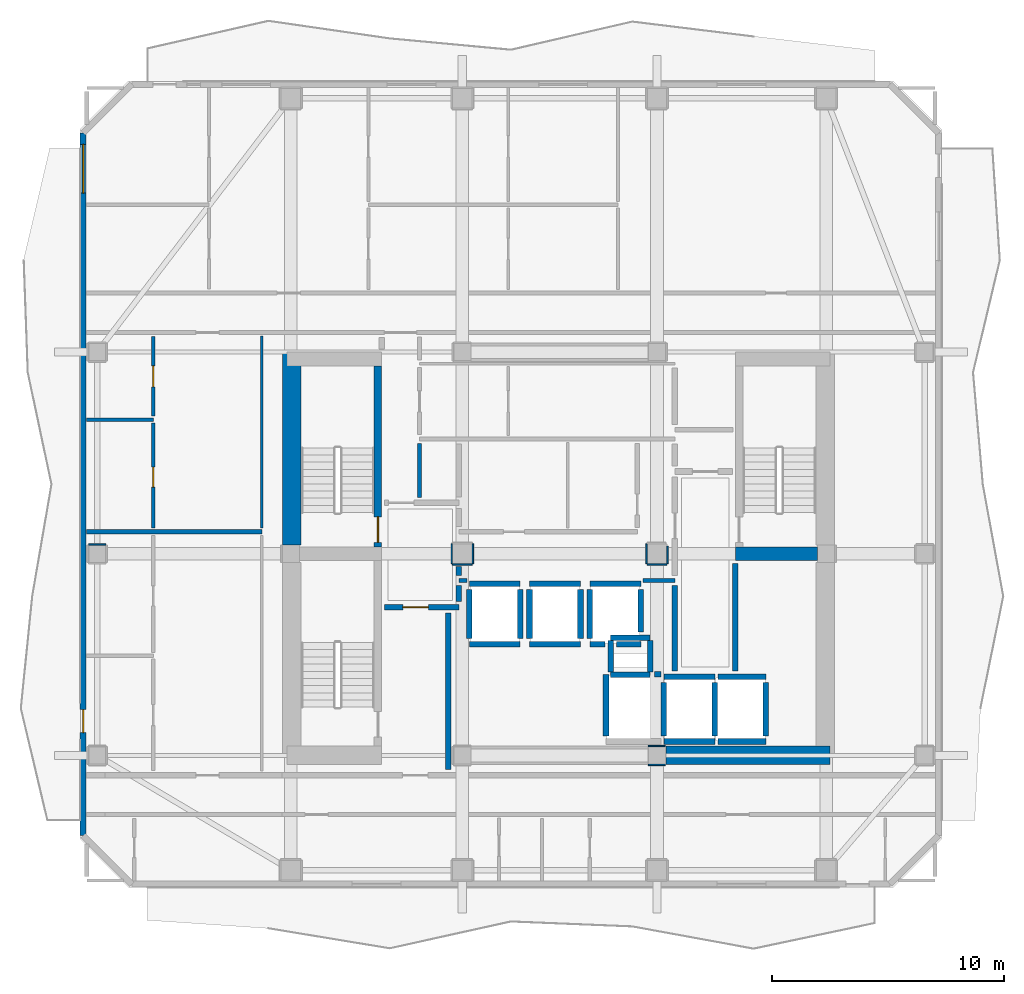
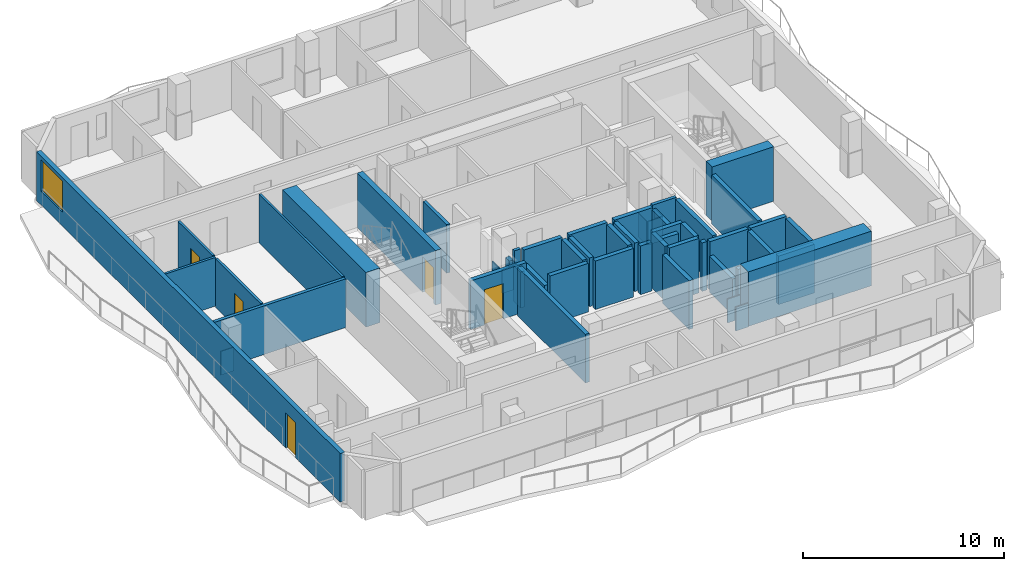
# One storey, part 3 of 10: 54 walls, 5 doors, 1 window, 6 openings.
"""IFC4 building model written with IfcOpenShell, lengths in metres."""

from ifc_helpers import new_model, si_unit, direction, frame, frame_2d, origin, place, context, subcontext, project, spatial, rectangle, extrude, material, layer, layer_set, type_object, element, fill, save


model = new_model("IFC4")

# Units and contexts
model_context = context("Model", 3, precision=1e-05, world=origin(), true_north=direction((0.0, 1.0)))
body_context = subcontext(model_context, "Body", "Model", "MODEL_VIEW")
ifc_project = project(units=[si_unit("LENGTHUNIT", "METRE"), si_unit("AREAUNIT", "SQUARE_METRE"), si_unit("VOLUMEUNIT", "CUBIC_METRE"), si_unit("PLANEANGLEUNIT", "RADIAN"), si_unit("MASSUNIT", "GRAM", prefix="KILO")], contexts=[model_context])

# Site, building, storey
site_placement = place(None, origin())
site = spatial("IfcSite", under=ifc_project, at=site_placement, CompositionType="ELEMENT")
building_placement = place(site_placement, origin())
building = spatial("IfcBuilding", under=site, at=building_placement, Name="Solanera Arch Residences", CompositionType="ELEMENT")
storey_placement = place(building_placement, frame((0.0, 0.0, 254.52001953125)))
storey = spatial("IfcBuildingStorey", under=building, at=storey_placement, Name="L74", CompositionType="ELEMENT", Elevation=254.52001953125)

# Walls
ifc_material_1 = material(Name="Fire-Rated Gypsum Stud Partition", Category="gypsum")
ifc_layer_1 = layer(ifc_material_1, 0.06005859375)
ifc_layer_set_1 = layer_set([ifc_layer_1], Name="Fire-Rated Gypsum Stud Partition")
wall_type_1 = type_object("IfcWallType", Name="Column Acoustic Furring Wall 60", PredefinedType="PARTITIONING", material=ifc_layer_set_1)
for number, where, z_axis, x_axis, name in (
    (1, (28.8330078125, 21.593017578125, 0.0), (0.0, 0.0, 1.0), (1.0, 0.0, 0.0), "L74 Column Furring 2S"),
    (2, (28.8330078125, 22.406982421875, 0.0), (0.0, 0.0, 1.0), (1.0, 0.0, 0.0), "L74 Column Furring 2N"),
):
    element("IfcWall", number, at=place(storey_placement, frame(where, z_axis=z_axis, x_axis=x_axis)), inside=storey, type_object=wall_type_1, Name=name, PredefinedType="PARTITIONING", context=body_context, shape_type="SweptSolid", body=[
        extrude(rectangle(XDim=0.73388671875, YDim=0.06005859375, at=frame_2d((0.366943359375, 0.0))), origin(), (0.0, 0.0, 1.0), 1.449951171875),
    ])
for number, where, z_axis, x_axis, name in (
    (3, (20.375, 30.242919921875, 0.0), (0.0, 0.0, 1.0), (1.0, 0.0, 0.0), "L74 Column Furring 7S"),
    (4, (20.343017578125, 30.27490234375, 0.0), (0.0, 0.0, 1.0), (0.0, 1.0, 0.0), "L74 Column Furring 7W"),
    (5, (21.257080078125, 30.27490234375, 0.0), (0.0, 0.0, 1.0), (0.0, 1.0, 0.0), "L74 Column Furring 7E"),
    (6, (28.77490234375, 30.242919921875, 0.0), (0.0, 0.0, 1.0), (1.0, 0.0, 0.0), "L74 Column Furring 8S"),
    (7, (28.742919921875, 30.27490234375, 0.0), (0.0, 0.0, 1.0), (0.0, 1.0, 0.0), "L74 Column Furring 8W"),
):
    element("IfcWall", number, at=place(storey_placement, frame(where, z_axis=z_axis, x_axis=x_axis)), inside=storey, type_object=wall_type_1, Name=name, PredefinedType="PARTITIONING", context=body_context, shape_type="SweptSolid", body=[
        extrude(rectangle(XDim=0.85009765625, YDim=0.06005859375, at=frame_2d((0.425048828125, 0.0))), origin(), (0.0, 0.0, 1.0), 1.449951171875),
    ])
wall_1_placement = place(storey_placement, frame((29.656982421875, 30.27490234375, 0.0), z_axis=(0.0, 0.0, 1.0), x_axis=(0.0, 1.0, 0.0)))
element("IfcWall", 8, at=wall_1_placement, inside=storey, type_object=wall_type_1, Name="L74 Column Furring 8E", PredefinedType="PARTITIONING", context=body_context, shape_type="SweptSolid", body=[
    extrude(rectangle(XDim=0.757080078125, YDim=0.06005859375, at=frame_2d((0.37841796875, 0.0))), origin(), (0.0, 0.0, 1.0), 1.449951171875),
])
wall_2_placement = place(storey_placement, frame((4.675048828125, 31.10693359375, 0.0), z_axis=(0.0, 0.0, 1.0), x_axis=(1.0, 0.0, 0.0)))
element("IfcWall", 9, at=wall_2_placement, inside=storey, type_object=wall_type_1, Name="L74 Column Furring 19N", PredefinedType="PARTITIONING", context=body_context, shape_type="SweptSolid", body=[
    extrude(rectangle(XDim=0.75, YDim=0.06005859375, at=frame_2d((0.375, 0.0))), origin(), (0.0, 0.0, 1.0), 1.449951171875),
])

# Wall, opening, door
ifc_material_2 = material(Name="Concrete C40/50 (f'c = 45 MPa)", Category="concrete")
ifc_layer_2 = layer(ifc_material_2, 0.320068359375)
ifc_layer_set_2 = layer_set([ifc_layer_2], Name="Concrete C40/50 (f'c = 45 MPa)")
wall_type_2 = type_object("IfcWallType", Name="Core Shear Wall CW-320", PredefinedType="SHEAR", material=ifc_layer_set_2)
wall_3_placement = place(storey_placement, frame((17.159912109375, 31.0, 0.0), z_axis=(0.0, 0.0, 1.0), x_axis=(0.0, 1.0, 0.0)))
wall_3 = element("IfcWall", 10, at=wall_3_placement, inside=storey, type_object=wall_type_2, Name="L74 Stair ST-T1 East Shear Wall", PredefinedType="SHEAR", context=body_context, shape_type="SweptSolid", body=[
    extrude(rectangle(XDim=7.800048828125, YDim=0.320068359375, at=frame_2d((3.89990234375, 0.0))), origin(), (0.0, 0.0, 1.0), 3.320068359375),
])
opening_1_placement = place(wall_3_placement, frame((0.18994140625, 0.0, 0.0)))
opening_1 = element("IfcOpeningElement", 11, at=opening_1_placement, cuts=wall_3, Name="Opening DF-01", PredefinedType="OPENING", context=body_context, shape_type="SweptSolid", body=[
    extrude(rectangle(XDim=1.10009765625, YDim=2.14990234375, at=frame_2d((0.550048828125, 1.074951171875))), frame((0.0, 0.169921875, 0.0), z_axis=(0.0, -1.0, 0.0), x_axis=(1.0, 0.0, 0.0)), (0.0, 0.0, 1.0), 0.3401),
])
ifc_material_3 = material(Name="Fire-Rated Architectural Hardwood", Category="wood")
door_type_1 = type_object("IfcDoorType", Name="Stair Exit Fire Door DF-01", OperationType="NOTDEFINED", PredefinedType="DOOR", material=ifc_material_3)
door_1_placement = place(opening_1_placement, origin())
door_1 = element("IfcDoor", 12, at=door_1_placement, inside=storey, type_object=door_type_1, Name="DR-L74-STAIR-ST-T1", OperationType="SINGLE_SWING_RIGHT", OverallHeight=2.14990234375, OverallWidth=1.10009765625, PredefinedType="DOOR", context=body_context, shape_type="SweptSolid", body=[
    extrude(rectangle(XDim=1.10009765625, YDim=2.14990234375, at=frame_2d((0.550048828125, 1.074951171875))), frame((0.0, 0.02490234375, 0.0), z_axis=(0.0, -1.0, 0.0), x_axis=(1.0, 0.0, 0.0)), (0.0, 0.0, 1.0), 0.050048828125),
])
fill(opening_1, door_1)

# Walls
ifc_material_4 = material(Name="Concrete C40/50 (f'c = 45 MPa)", Category="concrete")
ifc_layer_3 = layer(ifc_material_4, 0.60009765625)
ifc_layer_set_3 = layer_set([ifc_layer_3], Name="Concrete C40/50 (f'c = 45 MPa)")
wall_type_3 = type_object("IfcWallType", Name="Core Shear Wall CW-600", PredefinedType="SHEAR", material=ifc_layer_set_3)
wall_4_placement = place(storey_placement, frame((32.580078125, 30.699951171875, 0.0), z_axis=(0.0, 0.0, 1.0), x_axis=(1.0, 0.0, 0.0)))
element("IfcWall", 13, at=wall_4_placement, inside=storey, type_object=wall_type_3, Name="L74 East Stair Far-Landing Shear Wall", PredefinedType="SHEAR", context=body_context, shape_type="SweptSolid", body=[
    extrude(rectangle(XDim=3.5400390625, YDim=0.60009765625, at=frame_2d((1.77001953125, 0.0))), origin(), (0.0, 0.0, 1.0), 3.320068359375),
])
ifc_material_5 = material(Name="Concrete C40/50 (f'c = 45 MPa)", Category="concrete")
ifc_layer_4 = layer(ifc_material_5, 0.800048828125)
ifc_layer_set_4 = layer_set([ifc_layer_4], Name="Concrete C40/50 (f'c = 45 MPa)")
wall_type_4 = type_object("IfcWallType", Name="Core Shear Wall CW-800", PredefinedType="SHEAR", material=ifc_layer_set_4)
wall_5_placement = place(storey_placement, frame((13.43994140625, 31.080078125, 0.0), z_axis=(0.0, 0.0, 1.0), x_axis=(0.0, 1.0, 0.0)))
element("IfcWall", 14, at=wall_5_placement, inside=storey, type_object=wall_type_4, Name="L74 West Core North Shear Wall", PredefinedType="SHEAR", context=body_context, shape_type="SweptSolid", body=[
    extrude(rectangle(XDim=8.31982421875, YDim=0.800048828125, at=frame_2d((4.159912109375, 0.0))), origin(), (0.0, 0.0, 1.0), 3.320068359375),
])
wall_6_placement = place(storey_placement, frame((29.580078125, 22.0, 0.0), z_axis=(0.0, 0.0, 1.0), x_axis=(1.0, 0.0, 0.0)))
element("IfcWall", 15, at=wall_6_placement, inside=storey, type_object=wall_type_4, Name="L74 South-East Core Shear Wall", PredefinedType="SHEAR", context=body_context, shape_type="SweptSolid", body=[
    extrude(rectangle(XDim=7.079833984375, YDim=0.800048828125, at=frame_2d((3.5400390625, 0.0))), origin(), (0.0, 0.0, 1.0), 3.320068359375),
])
ifc_material_6 = material(Name="Autoclaved Aerated Concrete Blockwork", Category="masonry")
ifc_layer_5 = layer(ifc_material_6, 0.179931640625)
ifc_layer_set_5 = layer_set([ifc_layer_5], Name="Autoclaved Aerated Concrete Blockwork")
wall_type_5 = type_object("IfcWallType", Name="Corridor Fire Partition 180", PredefinedType="PARTITIONING", material=ifc_layer_set_5)
wall_7_placement = place(storey_placement, frame((20.64990234375, 29.550048828125, 0.0), z_axis=(0.0, 0.0, 1.0), x_axis=(1.0, 0.0, 0.0)))
element("IfcWall", 16, at=wall_7_placement, inside=storey, type_object=wall_type_5, Name="L74 Interior Partition H7 1", PredefinedType="PARTITIONING", context=body_context, shape_type="SweptSolid", body=[
    extrude(rectangle(XDim=0.357177734375, YDim=0.179931640625, at=frame_2d((0.1787109375, 0.0))), origin(), (0.0, 0.0, 1.0), 2.9599609375),
])
wall_8_placement = place(storey_placement, frame((28.593017578125, 29.550048828125, 0.0), z_axis=(0.0, 0.0, 1.0), x_axis=(1.0, 0.0, 0.0)))
element("IfcWall", 17, at=wall_8_placement, inside=storey, type_object=wall_type_5, Name="L74 Interior Partition H7 2", PredefinedType="PARTITIONING", context=body_context, shape_type="SweptSolid", body=[
    extrude(rectangle(XDim=1.382080078125, YDim=0.179931640625, at=frame_2d((0.69091796875, 0.0))), origin(), (0.0, 0.0, 1.0), 2.9599609375),
])
wall_9_placement = place(storey_placement, frame((4.5869140625, 31.64990234375, 0.0), z_axis=(0.0, 0.0, 1.0), x_axis=(1.0, 0.0, 0.0)))
element("IfcWall", 18, at=wall_9_placement, inside=storey, type_object=wall_type_5, Name="L74 Interior Partition H8", PredefinedType="PARTITIONING", context=body_context, shape_type="SweptSolid", body=[
    extrude(rectangle(XDim=7.56298828125, YDim=0.179931640625, at=frame_2d((3.781494140625, 0.0))), origin(), (0.0, 0.0, 1.0), 2.9599609375),
])
wall_10_placement = place(storey_placement, frame((18.949951171875, 33.117919921875, 0.0), z_axis=(0.0, 0.0, 1.0), x_axis=(0.0, 1.0, 0.0)))
element("IfcWall", 19, at=wall_10_placement, inside=storey, type_object=wall_type_5, Name="L74 Interior Partition V7 1", PredefinedType="PARTITIONING", context=body_context, shape_type="SweptSolid", body=[
    extrude(rectangle(XDim=2.343994140625, YDim=0.179931640625, at=frame_2d((1.171875, 0.0))), origin(), (0.0, 0.0, 1.0), 2.9599609375),
])

# Wall, openings, door, window
ifc_material_7 = material(Name="Precast Concrete C35/45", Category="concrete")
ifc_layer_6 = layer(ifc_material_7, 0.260009765625)
ifc_layer_set_6 = layer_set([ifc_layer_6], Name="Precast Concrete C35/45")
wall_type_6 = type_object("IfcWallType", Name="Exterior Wall Precast Masonry-Frame 260", PredefinedType="STANDARD", material=ifc_layer_set_6)
wall_11_placement = place(storey_placement, frame((4.445068359375, 18.544921875, 0.0), z_axis=(0.0, 0.0, 1.0), x_axis=(0.0, 1.0, 0.0)))
wall_11 = element("IfcWall", 20, at=wall_11_placement, inside=storey, type_object=wall_type_6, Name="L74 Tower Exterior Precast Masonry-Frame Wall W", PredefinedType="STANDARD", context=body_context, shape_type="SweptSolid", body=[
    extrude(rectangle(XDim=30.31005859375, YDim=0.260009765625, at=frame_2d((15.155029296875, 0.0))), origin(), (0.0, 0.0, 1.0), 2.9599609375),
])
opening_2_placement = place(wall_11_placement, frame((4.43408203125, 0.0, 0.0)))
opening_2 = element("IfcOpeningElement", 21, at=opening_2_placement, cuts=wall_11, Name="Opening DB-01", PredefinedType="OPENING", context=body_context, shape_type="SweptSolid", body=[
    extrude(rectangle(XDim=1.0, YDim=2.14990234375, at=frame_2d((0.5, 1.074951171875))), frame((0.0, 0.139892578125, 0.0), z_axis=(0.0, -1.0, 0.0), x_axis=(1.0, 0.0, 0.0)), (0.0, 0.0, 1.0), 0.28),
])
opening_3_placement = place(wall_11_placement, frame((27.715087890625, 0.0, 0.85009765625)))
opening_3 = element("IfcOpeningElement", 22, at=opening_3_placement, cuts=wall_11, Name="Opening W-04", PredefinedType="OPENING", context=body_context, shape_type="SweptSolid", body=[
    extrude(rectangle(XDim=2.10009765625, YDim=1.89990234375, at=frame_2d((1.050048828125, 0.949951171875))), frame((0.0, 0.139892578125, 0.0), z_axis=(0.0, -1.0, 0.0), x_axis=(1.0, 0.0, 0.0)), (0.0, 0.0, 1.0), 0.28),
])
ifc_material_8 = material(Name="Anodised Aluminium Alloy 6063-T6", Category="aluminium")
door_type_2 = type_object("IfcDoorType", Name="Glazed Balcony Swing Door DB-01", OperationType="NOTDEFINED", PredefinedType="DOOR", material=ifc_material_8)
door_2_placement = place(opening_2_placement, origin())
door_2 = element("IfcDoor", 23, at=door_2_placement, inside=storey, type_object=door_type_2, Name="DR-L74-OUT-04", OperationType="SINGLE_SWING_LEFT", OverallHeight=2.14990234375, OverallWidth=1.0, PredefinedType="DOOR", context=body_context, shape_type="SweptSolid", body=[
    extrude(rectangle(XDim=1.0, YDim=2.14990234375, at=frame_2d((0.5, 1.074951171875))), frame((0.0, 0.02490234375, 0.0), z_axis=(0.0, -1.0, 0.0), x_axis=(1.0, 0.0, 0.0)), (0.0, 0.0, 1.0), 0.050048828125),
])
fill(opening_2, door_2)
ifc_material_9 = material(Name="Double Glazed Low-E Laminated Glass", Category="glass")
window_type = type_object("IfcWindowType", Name="Punched Window W-04", PartitioningType="DOUBLE_PANEL_VERTICAL", PredefinedType="WINDOW", material=ifc_material_9)
window_placement = place(opening_3_placement, origin())
window = element("IfcWindow", 24, at=window_placement, inside=storey, type_object=window_type, Name="L74 7403-BR1 Punched Window", OverallHeight=1.89990234375, OverallWidth=2.10009765625, PartitioningType="SINGLE_PANEL", PredefinedType="WINDOW", context=body_context, shape_type="SweptSolid", body=[
    extrude(rectangle(XDim=2.10009765625, YDim=1.89990234375, at=frame_2d((1.050048828125, 0.949951171875))), frame((0.0, 0.030029296875, 0.0), z_axis=(0.0, -1.0, 0.0), x_axis=(1.0, 0.0, 0.0)), (0.0, 0.0, 1.0), 0.06005859375),
])
fill(opening_3, window)

# Walls
ifc_material_10 = material(Name="Concrete C40/50 (f'c = 45 MPa)", Category="concrete")
ifc_layer_7 = layer(ifc_material_10, 0.239990234375)
ifc_layer_set_7 = layer_set([ifc_layer_7], Name="Concrete C40/50 (f'c = 45 MPa)")
wall_type_7 = type_object("IfcWallType", Name="Ramp Bearing Shear Wall RW-240", PredefinedType="SHEAR", material=ifc_layer_set_7)
for number, where, z_axis, x_axis, name in (
    (25, (27.199951171875, 25.47998046875, 0.0), (0.0, 0.0, 1.0), (1.0, 0.0, 0.0), "L74 Core MEP Riser South Shaft Wall"),
    (26, (27.199951171875, 27.080078125, 0.0), (0.0, 0.0, 1.0), (1.0, 0.0, 0.0), "L74 Core MEP Riser North Shaft Wall"),
):
    element("IfcWall", number, at=place(storey_placement, frame(where, z_axis=z_axis, x_axis=x_axis)), inside=storey, type_object=wall_type_7, Name=name, PredefinedType="SHEAR", context=body_context, shape_type="SweptSolid", body=[
        extrude(rectangle(XDim=1.699951171875, YDim=0.239990234375, at=frame_2d((0.85009765625, 0.0))), origin(), (0.0, 0.0, 1.0), 3.320068359375),
    ])
for number, where, z_axis, x_axis, name in (
    (27, (27.199951171875, 25.60009765625, 0.0), (0.0, 0.0, 1.0), (0.0, 1.0, 0.0), "L74 Core MEP Riser West Shaft Wall"),
    (28, (28.89990234375, 25.60009765625, 0.0), (0.0, 0.0, 1.0), (0.0, 1.0, 0.0), "L74 Core MEP Riser East Shaft Wall"),
):
    element("IfcWall", number, at=place(storey_placement, frame(where, z_axis=z_axis, x_axis=x_axis)), inside=storey, type_object=wall_type_7, Name=name, PredefinedType="SHEAR", context=body_context, shape_type="SweptSolid", body=[
        extrude(rectangle(XDim=1.35986328125, YDim=0.239990234375, at=frame_2d((0.679931640625, 0.0))), origin(), (0.0, 0.0, 1.0), 3.320068359375),
    ])
ifc_material_11 = material(Name="Autoclaved Aerated Concrete Blockwork", Category="masonry")
ifc_layer_8 = layer(ifc_material_11, 0.239990234375)
ifc_layer_set_8 = layer_set([ifc_layer_8], Name="Autoclaved Aerated Concrete Blockwork")
wall_type_8 = type_object("IfcWallType", Name="Shaft Wall Fire-Rated 240", PredefinedType="PARTITIONING", material=ifc_layer_set_8)
for number, where, z_axis, x_axis, name in (
    (29, (21.10009765625, 26.800048828125, 0.0), (0.0, 0.0, 1.0), (1.0, 0.0, 0.0), "L74 Lift PL-H1 Hoistway Wall S"),
    (30, (21.10009765625, 29.39990234375, 0.0), (0.0, 0.0, 1.0), (1.0, 0.0, 0.0), "L74 Lift PL-H1 Hoistway Wall N"),
):
    element("IfcWall", number, at=place(storey_placement, frame(where, z_axis=z_axis, x_axis=x_axis)), inside=storey, type_object=wall_type_8, Name=name, PredefinedType="PARTITIONING", context=body_context, shape_type="SweptSolid", body=[
        extrude(rectangle(XDim=2.199951171875, YDim=0.239990234375, at=frame_2d((1.10009765625, 0.0))), origin(), (0.0, 0.0, 1.0), 2.9599609375),
    ])
wall_12_placement = place(storey_placement, frame((21.10009765625, 27.048095703125, 0.0), z_axis=(0.0, 0.0, 1.0), x_axis=(0.0, 1.0, 0.0)))
element("IfcWall", 31, at=wall_12_placement, inside=storey, type_object=wall_type_8, Name="L74 Lift PL-H1 Hoistway Wall W", PredefinedType="PARTITIONING", context=body_context, shape_type="SweptSolid", body=[
    extrude(rectangle(XDim=2.10400390625, YDim=0.239990234375, at=frame_2d((1.052001953125, 0.0))), origin(), (0.0, 0.0, 1.0), 2.195068359375),
])
wall_13_placement = place(storey_placement, frame((23.300048828125, 27.048095703125, 0.0), z_axis=(0.0, 0.0, 1.0), x_axis=(0.0, 1.0, 0.0)))
element("IfcWall", 32, at=wall_13_placement, inside=storey, type_object=wall_type_8, Name="L74 Lift PL-H1 Hoistway Wall E", PredefinedType="PARTITIONING", context=body_context, shape_type="SweptSolid", body=[
    extrude(rectangle(XDim=2.10400390625, YDim=0.239990234375, at=frame_2d((1.052001953125, 0.0))), origin(), (0.0, 0.0, 1.0), 2.9599609375),
])
for number, where, z_axis, x_axis, name in (
    (33, (23.699951171875, 26.800048828125, 0.0), (0.0, 0.0, 1.0), (1.0, 0.0, 0.0), "L74 Lift PL-H2 Hoistway Wall S"),
    (34, (23.699951171875, 29.39990234375, 0.0), (0.0, 0.0, 1.0), (1.0, 0.0, 0.0), "L74 Lift PL-H2 Hoistway Wall N"),
):
    element("IfcWall", number, at=place(storey_placement, frame(where, z_axis=z_axis, x_axis=x_axis)), inside=storey, type_object=wall_type_8, Name=name, PredefinedType="PARTITIONING", context=body_context, shape_type="SweptSolid", body=[
        extrude(rectangle(XDim=2.199951171875, YDim=0.239990234375, at=frame_2d((1.10009765625, 0.0))), origin(), (0.0, 0.0, 1.0), 2.9599609375),
    ])
for number, where, z_axis, x_axis, name in (
    (35, (23.699951171875, 27.048095703125, 0.0), (0.0, 0.0, 1.0), (0.0, 1.0, 0.0), "L74 Lift PL-H2 Hoistway Wall W"),
    (36, (25.89990234375, 27.048095703125, 0.0), (0.0, 0.0, 1.0), (0.0, 1.0, 0.0), "L74 Lift PL-H2 Hoistway Wall E"),
):
    element("IfcWall", number, at=place(storey_placement, frame(where, z_axis=z_axis, x_axis=x_axis)), inside=storey, type_object=wall_type_8, Name=name, PredefinedType="PARTITIONING", context=body_context, shape_type="SweptSolid", body=[
        extrude(rectangle(XDim=2.10400390625, YDim=0.239990234375, at=frame_2d((1.052001953125, 0.0))), origin(), (0.0, 0.0, 1.0), 2.9599609375),
    ])
wall_14_placement = place(storey_placement, frame((26.300048828125, 26.800048828125, 0.0), z_axis=(0.0, 0.0, 1.0), x_axis=(1.0, 0.0, 0.0)))
element("IfcWall", 37, at=wall_14_placement, inside=storey, type_object=wall_type_8, Name="L74 Lift PL-H3 Hoistway Wall S 1", PredefinedType="PARTITIONING", context=body_context, shape_type="SweptSolid", body=[
    extrude(rectangle(XDim=0.64990234375, YDim=0.239990234375, at=frame_2d((0.324951171875, 0.0))), origin(), (0.0, 0.0, 1.0), 2.9599609375),
])
wall_15_placement = place(storey_placement, frame((27.449951171875, 26.800048828125, 0.0), z_axis=(0.0, 0.0, 1.0), x_axis=(1.0, 0.0, 0.0)))
element("IfcWall", 38, at=wall_15_placement, inside=storey, type_object=wall_type_8, Name="L74 Lift PL-H3 Hoistway Wall S 2", PredefinedType="PARTITIONING", context=body_context, shape_type="SweptSolid", body=[
    extrude(rectangle(XDim=1.050048828125, YDim=0.239990234375, at=frame_2d((0.52490234375, 0.0))), origin(), (0.0, 0.0, 1.0), 2.9599609375),
])
wall_16_placement = place(storey_placement, frame((26.300048828125, 29.39990234375, 0.0), z_axis=(0.0, 0.0, 1.0), x_axis=(1.0, 0.0, 0.0)))
element("IfcWall", 39, at=wall_16_placement, inside=storey, type_object=wall_type_8, Name="L74 Lift PL-H3 Hoistway Wall N", PredefinedType="PARTITIONING", context=body_context, shape_type="SweptSolid", body=[
    extrude(rectangle(XDim=2.199951171875, YDim=0.239990234375, at=frame_2d((1.10009765625, 0.0))), origin(), (0.0, 0.0, 1.0), 2.9599609375),
])
wall_17_placement = place(storey_placement, frame((26.300048828125, 27.048095703125, 0.0), z_axis=(0.0, 0.0, 1.0), x_axis=(0.0, 1.0, 0.0)))
element("IfcWall", 40, at=wall_17_placement, inside=storey, type_object=wall_type_8, Name="L74 Lift PL-H3 Hoistway Wall W", PredefinedType="PARTITIONING", context=body_context, shape_type="SweptSolid", body=[
    extrude(rectangle(XDim=2.10400390625, YDim=0.239990234375, at=frame_2d((1.052001953125, 0.0))), origin(), (0.0, 0.0, 1.0), 2.9599609375),
])
wall_18_placement = place(storey_placement, frame((28.5, 27.330078125, 0.0), z_axis=(0.0, 0.0, 1.0), x_axis=(0.0, 1.0, 0.0)))
element("IfcWall", 41, at=wall_18_placement, inside=storey, type_object=wall_type_8, Name="L74 Lift PL-H3 Hoistway Wall E", PredefinedType="PARTITIONING", context=body_context, shape_type="SweptSolid", body=[
    extrude(rectangle(XDim=1.822021484375, YDim=0.239990234375, at=frame_2d((0.9111328125, 0.0))), origin(), (0.0, 0.0, 1.0), 2.9599609375),
])
for number, where, z_axis, x_axis, name in (
    (42, (29.5, 22.60009765625, 0.0), (0.0, 0.0, 1.0), (1.0, 0.0, 0.0), "L74 Lift FFL-1 Hoistway Wall S"),
    (43, (29.5, 25.39990234375, 0.0), (0.0, 0.0, 1.0), (1.0, 0.0, 0.0), "L74 Lift FFL-1 Hoistway Wall N"),
):
    element("IfcWall", number, at=place(storey_placement, frame(where, z_axis=z_axis, x_axis=x_axis)), inside=storey, type_object=wall_type_8, Name=name, PredefinedType="PARTITIONING", context=body_context, shape_type="SweptSolid", body=[
        extrude(rectangle(XDim=2.199951171875, YDim=0.239990234375, at=frame_2d((1.10009765625, 0.0))), origin(), (0.0, 0.0, 1.0), 2.9599609375),
    ])
wall_19_placement = place(storey_placement, frame((29.5, 22.847900390625, 0.0), z_axis=(0.0, 0.0, 1.0), x_axis=(0.0, 1.0, 0.0)))
element("IfcWall", 44, at=wall_19_placement, inside=storey, type_object=wall_type_8, Name="L74 Lift FFL-1 Hoistway Wall W", PredefinedType="PARTITIONING", context=body_context, shape_type="SweptSolid", body=[
    extrude(rectangle(XDim=2.30419921875, YDim=0.239990234375, at=frame_2d((1.152099609375, 0.0))), origin(), (0.0, 0.0, 1.0), 2.195068359375),
])
wall_20_placement = place(storey_placement, frame((31.699951171875, 22.847900390625, 0.0), z_axis=(0.0, 0.0, 1.0), x_axis=(0.0, 1.0, 0.0)))
element("IfcWall", 45, at=wall_20_placement, inside=storey, type_object=wall_type_8, Name="L74 Lift FFL-1 Hoistway Wall E", PredefinedType="PARTITIONING", context=body_context, shape_type="SweptSolid", body=[
    extrude(rectangle(XDim=2.30419921875, YDim=0.239990234375, at=frame_2d((1.152099609375, 0.0))), origin(), (0.0, 0.0, 1.0), 2.9599609375),
])
for number, where, z_axis, x_axis, name in (
    (46, (31.827880859375, 22.60009765625, 0.0), (0.0, 0.0, 1.0), (1.0, 0.0, 0.0), "L74 Lift FFL-2 Hoistway Wall S"),
    (47, (31.827880859375, 25.39990234375, 0.0), (0.0, 0.0, 1.0), (1.0, 0.0, 0.0), "L74 Lift FFL-2 Hoistway Wall N"),
):
    element("IfcWall", number, at=place(storey_placement, frame(where, z_axis=z_axis, x_axis=x_axis)), inside=storey, type_object=wall_type_8, Name=name, PredefinedType="PARTITIONING", context=body_context, shape_type="SweptSolid", body=[
        extrude(rectangle(XDim=2.072021484375, YDim=0.239990234375, at=frame_2d((1.0361328125, 0.0))), origin(), (0.0, 0.0, 1.0), 2.9599609375),
    ])
wall_21_placement = place(storey_placement, frame((33.89990234375, 22.847900390625, 0.0), z_axis=(0.0, 0.0, 1.0), x_axis=(0.0, 1.0, 0.0)))
element("IfcWall", 48, at=wall_21_placement, inside=storey, type_object=wall_type_8, Name="L74 Lift FFL-2 Hoistway Wall E", PredefinedType="PARTITIONING", context=body_context, shape_type="SweptSolid", body=[
    extrude(rectangle(XDim=2.30419921875, YDim=0.239990234375, at=frame_2d((1.152099609375, 0.0))), origin(), (0.0, 0.0, 1.0), 2.9599609375),
])
wall_22_placement = place(storey_placement, frame((29.10302734375, 25.5, 0.0), z_axis=(0.0, 0.0, 1.0), x_axis=(1.0, 0.0, 0.0)))
element("IfcWall", 49, at=wall_22_placement, inside=storey, type_object=wall_type_8, Name="L74 Lift SVL-1 Hoistway Wall N", PredefinedType="PARTITIONING", context=body_context, shape_type="SweptSolid", body=[
    extrude(rectangle(XDim=0.26904296875, YDim=0.239990234375, at=frame_2d((0.134521484375, 0.0))), origin(), (0.0, 0.0, 1.0), 2.9599609375),
])
wall_23_placement = place(storey_placement, frame((27.0, 22.847900390625, 0.0), z_axis=(0.0, 0.0, 1.0), x_axis=(0.0, 1.0, 0.0)))
element("IfcWall", 50, at=wall_23_placement, inside=storey, type_object=wall_type_8, Name="L74 Lift SVL-1 Hoistway Wall W", PredefinedType="PARTITIONING", context=body_context, shape_type="SweptSolid", body=[
    extrude(rectangle(XDim=2.650146484375, YDim=0.239990234375, at=frame_2d((1.3251953125, 0.0))), origin(), (0.0, 0.0, 1.0), 2.9599609375),
])

# Wall, opening, door
wall_24_placement = place(storey_placement, frame((17.449951171875, 28.39990234375, 0.0), z_axis=(0.0, 0.0, 1.0), x_axis=(1.0, 0.0, 0.0)))
wall_24 = element("IfcWall", 51, at=wall_24_placement, inside=storey, type_object=wall_type_8, Name="L74 Interior Partition H3", PredefinedType="PARTITIONING", context=body_context, shape_type="SweptSolid", body=[
    extrude(rectangle(XDim=3.199951171875, YDim=0.239990234375, at=frame_2d((1.60009765625, 0.0))), origin(), (0.0, 0.0, 1.0), 2.9599609375),
])
opening_4_placement = place(wall_24_placement, frame((0.783935546875, 0.0, 0.0)))
opening_4 = element("IfcOpeningElement", 52, at=opening_4_placement, cuts=wall_24, Name="Opening DF-02", PredefinedType="OPENING", context=body_context, shape_type="SweptSolid", body=[
    extrude(rectangle(XDim=1.10009765625, YDim=2.14990234375, at=frame_2d((0.550048828125, 1.074951171875))), frame((0.0, 0.1298828125, 0.0), z_axis=(0.0, -1.0, 0.0), x_axis=(1.0, 0.0, 0.0)), (0.0, 0.0, 1.0), 0.26),
])
ifc_material_12 = material(Name="Fire-Rated Architectural Hardwood", Category="wood")
door_type_3 = type_object("IfcDoorType", Name="Firefighting Lobby Fire Door DF-02", OperationType="NOTDEFINED", PredefinedType="DOOR", material=ifc_material_12)
door_3_placement = place(opening_4_placement, origin())
door_3 = element("IfcDoor", 53, at=door_3_placement, inside=storey, type_object=door_type_3, Name="DR-L74-IN-004", OperationType="SINGLE_SWING_LEFT", OverallHeight=2.14990234375, OverallWidth=1.10009765625, PredefinedType="DOOR", context=body_context, shape_type="SweptSolid", body=[
    extrude(rectangle(XDim=1.10009765625, YDim=2.14990234375, at=frame_2d((0.550048828125, 1.074951171875))), frame((0.0, 0.02490234375, 0.0), z_axis=(0.0, -1.0, 0.0), x_axis=(1.0, 0.0, 0.0)), (0.0, 0.0, 1.0), 0.050048828125),
])
fill(opening_4, door_3)

# Walls
wall_25_placement = place(storey_placement, frame((20.199951171875, 21.39794921875, 0.0), z_axis=(0.0, 0.0, 1.0), x_axis=(0.0, 1.0, 0.0)))
element("IfcWall", 54, at=wall_25_placement, inside=storey, type_object=wall_type_8, Name="L74 Interior Partition V2", PredefinedType="PARTITIONING", context=body_context, shape_type="SweptSolid", body=[
    extrude(rectangle(XDim=6.754150390625, YDim=0.239990234375, at=frame_2d((3.376953125, 0.0))), origin(), (0.0, 0.0, 1.0), 2.9599609375),
])
wall_26_placement = place(storey_placement, frame((20.64990234375, 28.64794921875, 0.0), z_axis=(0.0, 0.0, 1.0), x_axis=(0.0, 1.0, 0.0)))
element("IfcWall", 55, at=wall_26_placement, inside=storey, type_object=wall_type_8, Name="L74 Interior Partition V3 1", PredefinedType="PARTITIONING", context=body_context, shape_type="SweptSolid", body=[
    extrude(rectangle(XDim=0.68408203125, YDim=0.239990234375, at=frame_2d((0.342041015625, 0.0))), origin(), (0.0, 0.0, 1.0), 2.195068359375),
])
wall_27_placement = place(storey_placement, frame((20.64990234375, 29.76806640625, 0.0), z_axis=(0.0, 0.0, 1.0), x_axis=(0.0, 1.0, 0.0)))
element("IfcWall", 56, at=wall_27_placement, inside=storey, type_object=wall_type_8, Name="L74 Interior Partition V3 2", PredefinedType="PARTITIONING", context=body_context, shape_type="SweptSolid", body=[
    extrude(rectangle(XDim=0.375, YDim=0.239990234375, at=frame_2d((0.1875, 0.0))), origin(), (0.0, 0.0, 1.0), 2.195068359375),
])
wall_28_placement = place(storey_placement, frame((29.97509765625, 25.64794921875, 0.0), z_axis=(0.0, 0.0, 1.0), x_axis=(0.0, 1.0, 0.0)))
element("IfcWall", 57, at=wall_28_placement, inside=storey, type_object=wall_type_8, Name="L74 Interior Partition V4 1", PredefinedType="PARTITIONING", context=body_context, shape_type="SweptSolid", body=[
    extrude(rectangle(XDim=3.68408203125, YDim=0.239990234375, at=frame_2d((1.842041015625, 0.0))), origin(), (0.0, 0.0, 1.0), 2.9599609375),
])
wall_29_placement = place(storey_placement, frame((32.580078125, 25.64794921875, 0.0), z_axis=(0.0, 0.0, 1.0), x_axis=(0.0, 1.0, 0.0)))
element("IfcWall", 58, at=wall_29_placement, inside=storey, type_object=wall_type_8, Name="L74 Interior Partition V5", PredefinedType="PARTITIONING", context=body_context, shape_type="SweptSolid", body=[
    extrude(rectangle(XDim=4.6220703125, YDim=0.239990234375, at=frame_2d((2.31103515625, 0.0))), origin(), (0.0, 0.0, 1.0), 2.9599609375),
])
ifc_material_13 = material(Name="Fire-Rated Gypsum Stud Partition", Category="gypsum")
ifc_layer_9 = layer(ifc_material_13, 0.1201171875)
ifc_layer_set_9 = layer_set([ifc_layer_9], Name="Fire-Rated Gypsum Stud Partition")
wall_type_9 = type_object("IfcWallType", Name="Unit Drywall Partition 120", PredefinedType="PARTITIONING", material=ifc_layer_set_9)
wall_30_placement = place(storey_placement, frame((12.14990234375, 31.80810546875, 0.0), z_axis=(0.0, 0.0, 1.0), x_axis=(0.0, 1.0, 0.0)))
element("IfcWall", 59, at=wall_30_placement, inside=storey, type_object=wall_type_9, Name="L74 Interior Partition V16 2", PredefinedType="PARTITIONING", context=body_context, shape_type="SweptSolid", body=[
    extrude(rectangle(XDim=8.283935546875, YDim=0.1201171875, at=frame_2d((4.14208984375, 0.0))), origin(), (0.0, 0.0, 1.0), 2.9599609375),
])
ifc_material_14 = material(Name="Autoclaved Aerated Concrete Blockwork", Category="masonry")
ifc_layer_10 = layer(ifc_material_14, 0.139892578125)
ifc_layer_set_10 = layer_set([ifc_layer_10], Name="Autoclaved Aerated Concrete Blockwork")
wall_type_10 = type_object("IfcWallType", Name="Wet-Room Partition 140", PredefinedType="PARTITIONING", material=ifc_layer_set_10)
wall_31_placement = place(storey_placement, frame((4.5869140625, 36.487060546875, 0.0), z_axis=(0.0, 0.0, 1.0), x_axis=(1.0, 0.0, 0.0)))
element("IfcWall", 60, at=wall_31_placement, inside=storey, type_object=wall_type_10, Name="L74 Interior Partition H16", PredefinedType="PARTITIONING", context=body_context, shape_type="SweptSolid", body=[
    extrude(rectangle(XDim=2.882080078125, YDim=0.139892578125, at=frame_2d((1.44091796875, 0.0))), origin(), (0.0, 0.0, 1.0), 2.9599609375),
])

# Wall, opening, door
wall_32_placement = place(storey_placement, frame((7.468994140625, 31.818115234375, 0.0), z_axis=(0.0, 0.0, 1.0), x_axis=(0.0, 1.0, 0.0)))
wall_32 = element("IfcWall", 61, at=wall_32_placement, inside=storey, type_object=wall_type_10, Name="L74 Interior Partition V12 3", PredefinedType="PARTITIONING", context=body_context, shape_type="SweptSolid", body=[
    extrude(rectangle(XDim=4.52099609375, YDim=0.139892578125, at=frame_2d((2.260498046875, 0.0))), origin(), (0.0, 0.0, 1.0), 2.9599609375),
])
opening_5_placement = place(wall_32_placement, frame((1.758056640625, 0.0, 0.0)))
opening_5 = element("IfcOpeningElement", 62, at=opening_5_placement, cuts=wall_32, Name="Opening DI-05", PredefinedType="OPENING", context=body_context, shape_type="SweptSolid", body=[
    extrude(rectangle(XDim=0.860107421875, YDim=2.02001953125, at=frame_2d((0.43017578125, 1.010009765625))), frame((0.0, 0.079833984375, 0.0), z_axis=(0.0, -1.0, 0.0), x_axis=(1.0, 0.0, 0.0)), (0.0, 0.0, 1.0), 0.1599),
])
ifc_material_15 = material(Name="Fire-Rated Architectural Hardwood", Category="wood")
door_type_4 = type_object("IfcDoorType", Name="Bathroom Swing Door DI-05", OperationType="NOTDEFINED", PredefinedType="DOOR", material=ifc_material_15)
door_4_placement = place(opening_5_placement, origin())
door_4 = element("IfcDoor", 63, at=door_4_placement, inside=storey, type_object=door_type_4, Name="DR-L74-IN-033", OperationType="SINGLE_SWING_RIGHT", OverallHeight=2.02001953125, OverallWidth=0.860107421875, PredefinedType="DOOR", context=body_context, shape_type="SweptSolid", body=[
    extrude(rectangle(XDim=0.860107421875, YDim=2.02001953125, at=frame_2d((0.43017578125, 1.010009765625))), frame((0.0, 0.02490234375, 0.0), z_axis=(0.0, -1.0, 0.0), x_axis=(1.0, 0.0, 0.0)), (0.0, 0.0, 1.0), 0.050048828125),
])
fill(opening_5, door_4)

wall_33_placement = place(storey_placement, frame((7.468994140625, 36.635009765625, 0.0), z_axis=(0.0, 0.0, 1.0), x_axis=(0.0, 1.0, 0.0)))
wall_33 = element("IfcWall", 64, at=wall_33_placement, inside=storey, type_object=wall_type_10, Name="L74 Interior Partition V12 4", PredefinedType="PARTITIONING", context=body_context, shape_type="SweptSolid", body=[
    extrude(rectangle(XDim=3.447021484375, YDim=0.139892578125, at=frame_2d((1.7236328125, 0.0))), origin(), (0.0, 0.0, 1.0), 2.9599609375),
])
opening_6_placement = place(wall_33_placement, frame((1.27099609375, 0.0, 0.0)))
opening_6 = element("IfcOpeningElement", 65, at=opening_6_placement, cuts=wall_33, Name="Opening DI-02", PredefinedType="OPENING", context=body_context, shape_type="SweptSolid", body=[
    extrude(rectangle(XDim=0.89990234375, YDim=2.10009765625, at=frame_2d((0.449951171875, 1.050048828125))), frame((0.0, 0.079833984375, 0.0), z_axis=(0.0, -1.0, 0.0), x_axis=(1.0, 0.0, 0.0)), (0.0, 0.0, 1.0), 0.1599),
])
ifc_material_16 = material(Name="Fire-Rated Architectural Hardwood", Category="wood")
door_type_5 = type_object("IfcDoorType", Name="Suite Room Swing Door DI-02", OperationType="NOTDEFINED", PredefinedType="DOOR", material=ifc_material_16)
door_5_placement = place(opening_6_placement, origin())
door_5 = element("IfcDoor", 66, at=door_5_placement, inside=storey, type_object=door_type_5, Name="DR-L74-IN-032", OperationType="SINGLE_SWING_LEFT", OverallHeight=2.10009765625, OverallWidth=0.89990234375, PredefinedType="DOOR", context=body_context, shape_type="SweptSolid", body=[
    extrude(rectangle(XDim=0.89990234375, YDim=2.10009765625, at=frame_2d((0.449951171875, 1.050048828125))), frame((0.0, 0.02490234375, 0.0), z_axis=(0.0, -1.0, 0.0), x_axis=(1.0, 0.0, 0.0)), (0.0, 0.0, 1.0), 0.050048828125),
])
fill(opening_6, door_5)

save(model, "model.ifc")
